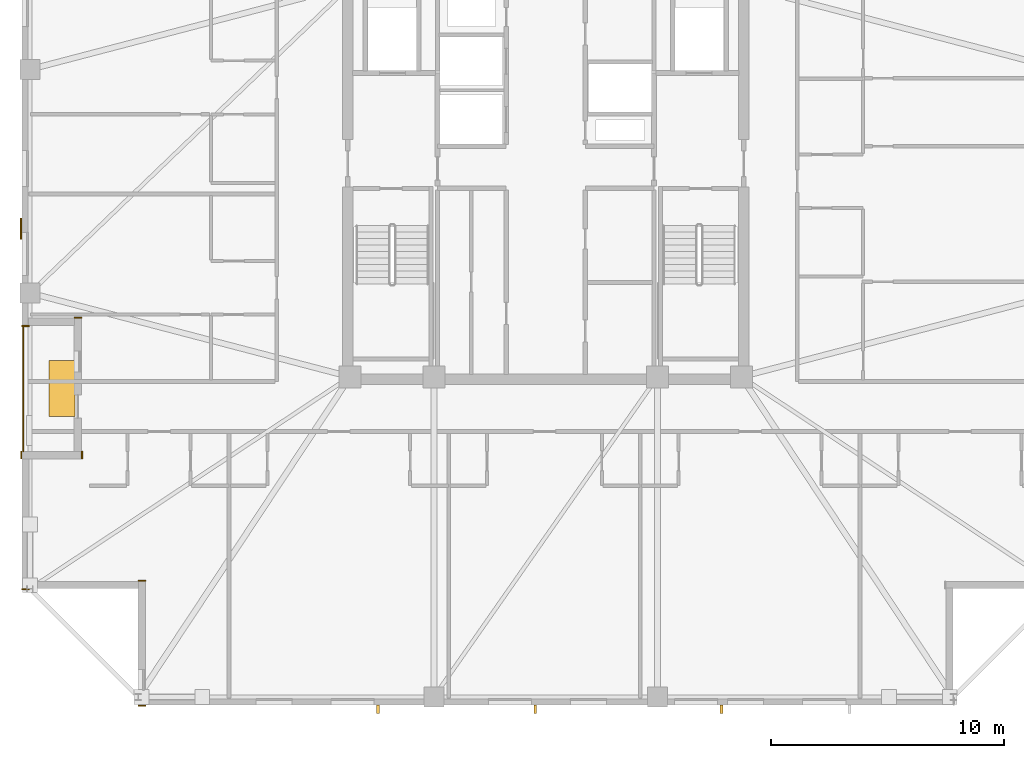
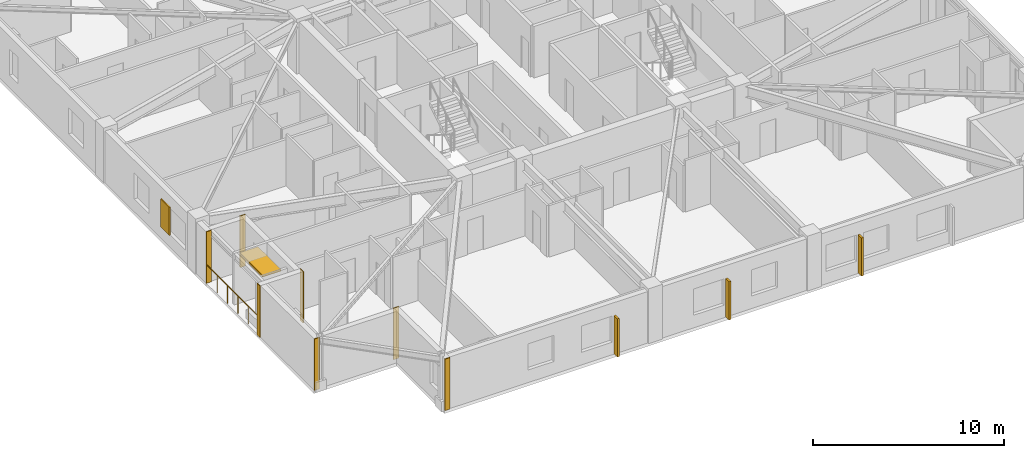
# One storey, part 13 of 17: 7 coverings, 5 shading devices, 1 railing.
"""IFC4 building model written with IfcOpenShell, lengths in metres."""

from ifc_helpers import new_model, si_unit, direction, frame, frame_2d, origin, origin_2d, place, context, subcontext, project, spatial, rectangle, circle, extrude, material, layer, layer_set, type_object, element, save


model = new_model("IFC4")

# Units and contexts
model_context = context("Model", 3, precision=1e-05, world=origin(), true_north=direction((0.0, 1.0)))
body_context = subcontext(model_context, "Body", "Model", "MODEL_VIEW")
ifc_project = project(units=[si_unit("LENGTHUNIT", "METRE"), si_unit("AREAUNIT", "SQUARE_METRE"), si_unit("VOLUMEUNIT", "CUBIC_METRE"), si_unit("PLANEANGLEUNIT", "RADIAN"), si_unit("MASSUNIT", "GRAM", prefix="KILO")], contexts=[model_context])

# Site, building, storey
site_placement = place(None, origin())
site = spatial("IfcSite", under=ifc_project, at=site_placement, CompositionType="ELEMENT")
building_placement = place(site_placement, origin())
building = spatial("IfcBuilding", under=site, at=building_placement, Name="Cairnveth Concourse Tower", CompositionType="ELEMENT")
storey_placement = place(building_placement, frame((0.0, 0.0, 251.5)))
storey = spatial("IfcBuildingStorey", under=building, at=storey_placement, Name="L69", CompositionType="ELEMENT", Elevation=251.5)

# Coverings
ifc_material_1 = material(Name="Dressed Melbourne Bluestone Cladding", Category="masonry")
ifc_layer = layer(ifc_material_1, 0.050048828125)
ifc_layer_set = layer_set([ifc_layer], Name="Dressed Melbourne Bluestone Cladding")
covering_type = type_object("IfcCoveringType", Name="DRESSED BLUESTONE PLINTH CLADDING 50", PredefinedType="CLADDING", material=ifc_layer_set)
for number, where, z_axis, x_axis, name in (
    (1, (29.820068359375, 32.780029296875, 0.0), (0.0, 0.0, 1.0), (-1.0, 0.0, 0.0), "Melbourne Bluestone Corner Quoin L69-1039"),
    (2, (34.820068359375, 16.47998046875, 0.0), (0.0, 0.0, 1.0), (-1.0, 0.0, 0.0), "Melbourne Bluestone Corner Quoin L69-1049"),
    (3, (34.820068359375, 21.840087890625, 0.0), (0.0, 0.0, 1.0), (-1.0, 0.0, 0.0), "Melbourne Bluestone Corner Quoin L69-1050"),
    (4, (29.820068359375, 21.47998046875, 0.0), (0.0, 0.0, 1.0), (-1.0, 0.0, 0.0), "Melbourne Bluestone Corner Quoin L69-1051"),
):
    element("IfcCovering", number, at=place(storey_placement, frame(where, z_axis=z_axis, x_axis=x_axis)), inside=storey, type_object=covering_type, Name=name, PredefinedType="CLADDING", context=body_context, shape_type="SweptSolid", body=[
        extrude(rectangle(XDim=0.320068359375, YDim=0.050048828125, at=frame_2d((0.16015625, 0.0))), origin(), (0.0, 0.0, 1.0), 3.2900390625),
    ])
for number, where, z_axis, x_axis, name in (
    (5, (29.47998046875, 27.080078125, 0.0), (0.0, 0.0, 1.0), (0.0, 1.0, 0.0), "Melbourne Bluestone Corner Quoin L69-1052"),
    (6, (32.090087890625, 27.080078125, 0.0), (0.0, 0.0, 1.0), (0.0, 1.0, 0.0), "Melbourne Bluestone Corner Quoin L69-1053"),
):
    element("IfcCovering", number, at=place(storey_placement, frame(where, z_axis=z_axis, x_axis=x_axis)), inside=storey, type_object=covering_type, Name=name, PredefinedType="CLADDING", context=body_context, shape_type="SweptSolid", body=[
        extrude(rectangle(XDim=0.31982421875, YDim=0.050048828125, at=frame_2d((0.159912109375, 0.0))), origin(), (0.0, 0.0, 1.0), 3.2900390625),
    ])
covering_placement = place(storey_placement, frame((32.070068359375, 33.139892578125, 0.0), z_axis=(0.0, 0.0, 1.0), x_axis=(-1.0, 0.0, 0.0)))
element("IfcCovering", 7, at=covering_placement, inside=storey, type_object=covering_type, Name="Melbourne Bluestone Corner Quoin L69-1054", PredefinedType="CLADDING", context=body_context, shape_type="SweptSolid", body=[
    extrude(rectangle(XDim=0.320068359375, YDim=0.050048828125, at=frame_2d((0.16015625, 0.0))), origin(), (0.0, 0.0, 1.0), 3.2900390625),
])

# Shading devices
ifc_material_2 = material(Name="Architectural Bronze Anodised Aluminium 6063-T6", Category="aluminium")
shading_device_type_1 = type_object("IfcShadingDeviceType", Name="GOTHIC BRONZE VERTICAL LANCET FIN", PredefinedType="USERDEFINED", material=ifc_material_2)
for number, where, z_axis, x_axis, name in (
    (8, (59.546875, 16.324951171875, 0.030029296875), (0.0, 0.0, 1.0), (1.0, 0.0, 0.0), "Gothic Bronze Vertical Fin L69-9-3"),
    (9, (51.54638671875, 16.324951171875, 0.030029296875), (0.0, 0.0, 1.0), (1.0, 0.0, 0.0), "Gothic Bronze Vertical Fin L69-9-5"),
    (10, (44.7958984375, 16.324951171875, 0.030029296875), (0.0, 0.0, 1.0), (1.0, 0.0, 0.0), "Gothic Bronze Vertical Fin L69-9-7"),
):
    element("IfcShadingDevice", number, at=place(storey_placement, frame(where, z_axis=z_axis, x_axis=x_axis)), inside=storey, type_object=shading_device_type_1, Name=name, ObjectType="VERTICAL FIN", PredefinedType="USERDEFINED", context=body_context, shape_type="SweptSolid", body=[
        extrude(rectangle(XDim=0.1201171875, YDim=0.360107421875, at=origin_2d()), origin(), (0.0, 0.0, 1.0), 2.43798828125),
    ])
shading_device_type_2 = type_object("IfcShadingDeviceType", Name="SPIRAL TERRACE SUNSHADE CANOPY", PredefinedType="USERDEFINED", material=ifc_material_2)
shading_device_1_placement = place(storey_placement, frame((31.22998046875, 30.10009765625, 2.31787109375), z_axis=(0.0, 0.0, 1.0), x_axis=(1.0, 0.0, 0.0)))
element("IfcShadingDevice", 11, at=shading_device_1_placement, inside=storey, type_object=shading_device_type_2, Name="Spiral Terrace Sunshade L69", ObjectType="TERRACE SUNSHADE", PredefinedType="USERDEFINED", context=body_context, shape_type="SweptSolid", body=[
    extrude(rectangle(XDim=1.10009765625, YDim=2.39990234375, at=origin_2d()), origin(), (0.0, 0.0, 1.0), 0.1201171875),
])

# Railing
railing_type = type_object("IfcRailingType", Name="TERRACE BRONZE BALUSTRADE 1150", PredefinedType="BALUSTRADE", material=ifc_material_2)
railing_placement = place(storey_placement, frame((29.56005859375, 27.39990234375, 0.0)))
element("IfcRailing", 12, at=railing_placement, inside=storey, type_object=railing_type, Name="Terrace Balustrade RL-L69-TERR", PredefinedType="BALUSTRADE", context=body_context, shape_type="SweptSolid", body=[
    extrude(circle(Radius=0.02490234375, at=origin_2d()), frame((0.0, 0.0, 1.125), z_axis=(0.0, 1.0, 0.0), x_axis=(-1.0, 0.0, 0.0)), (0.0, 0.0, 1.0), 5.400146484375),
    extrude(circle(Radius=0.02099609375, at=origin_2d()), origin(), (0.0, 0.0, 1.0), 1.099853515625),
    extrude(circle(Radius=0.02099609375, at=origin_2d()), frame((0.0, 1.080078125, 0.0)), (0.0, 0.0, 1.0), 1.099853515625),
    extrude(circle(Radius=0.02099609375, at=origin_2d()), frame((0.0, 2.16015625, 0.0)), (0.0, 0.0, 1.0), 1.099853515625),
    extrude(circle(Radius=0.02099609375, at=origin_2d()), frame((0.0, 3.239990234375, 0.0)), (0.0, 0.0, 1.0), 1.099853515625),
    extrude(circle(Radius=0.02099609375, at=origin_2d()), frame((0.0, 4.320068359375, 0.0)), (0.0, 0.0, 1.0), 1.099853515625),
    extrude(circle(Radius=0.02099609375, at=origin_2d()), frame((0.0, 5.400146484375, 0.0)), (0.0, 0.0, 1.0), 1.099853515625),
])

# Shading device
shading_device_type_3 = type_object("IfcShadingDeviceType", Name="WEST SOLAR PERFORATED SHUTTER", PredefinedType="SHUTTER", material=ifc_material_2)
shading_device_2_placement = place(storey_placement, frame((29.464111328125, 36.965087890625, 0.7998046875), z_axis=(0.0, 0.0, 1.0), x_axis=(1.0, 0.0, 0.0)))
element("IfcShadingDevice", 13, at=shading_device_2_placement, inside=storey, type_object=shading_device_type_3, Name="West Solar Shutter L69", PredefinedType="SHUTTER", context=body_context, shape_type="SweptSolid", body=[
    extrude(rectangle(XDim=0.080078125, YDim=0.89990234375, at=origin_2d()), origin(), (0.0, 0.0, 1.0), 1.800048828125),
])

save(model, "model.ifc")
